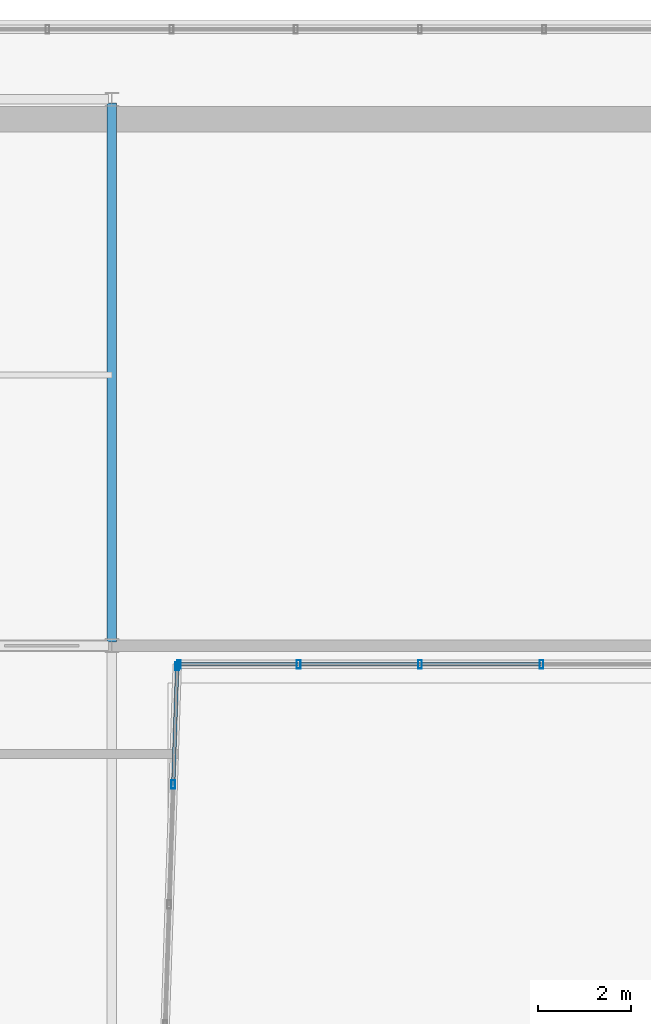
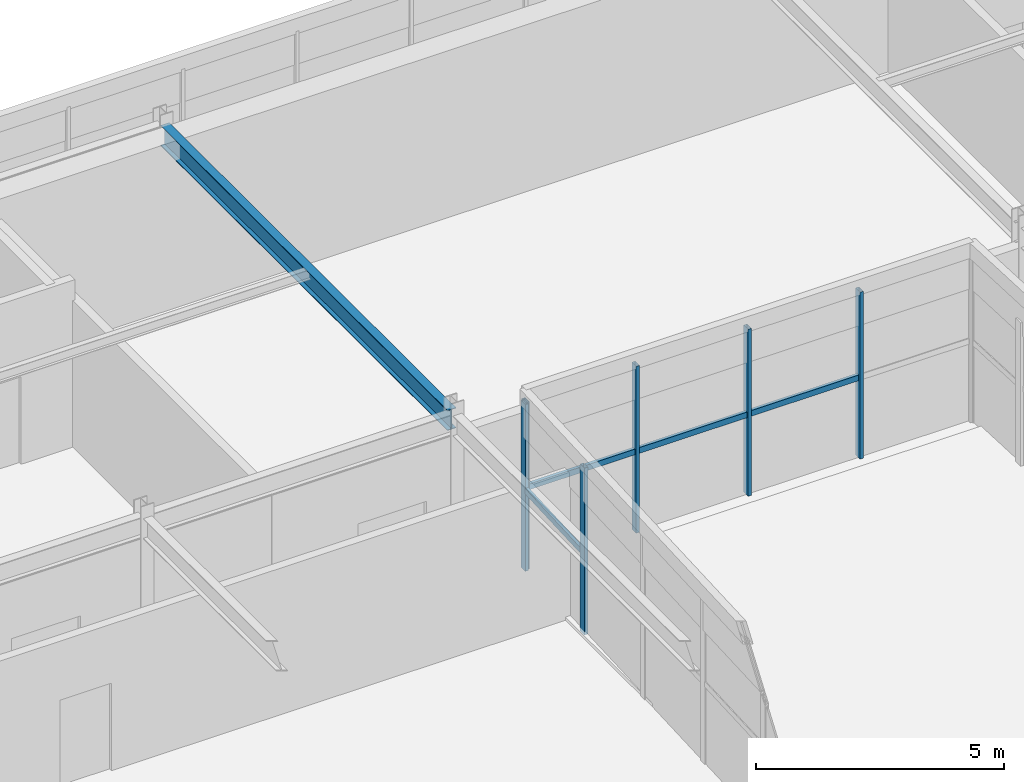
# One storey, part 13 of 37: 10 members, 1 beam, 2 elements without a shape of their own.
"""IFC4 building model written with IfcOpenShell, lengths in metres."""

from ifc_helpers import new_model, si_unit, direction, frame, origin, origin_2d, place, context, subcontext, project, spatial, hollow_rectangle, i_section, extrude, source, transform, mapped, material, material_profile, profile_set, type_object, element, aggregate, save


model = new_model("IFC4")

# Units and contexts
model_context = context("Model", 3, precision=1e-05, world=origin(), true_north=direction((0.0, 1.0)))
body_context = subcontext(model_context, "Body", "Model", "MODEL_VIEW")
ifc_project = project(units=[si_unit("LENGTHUNIT", "METRE"), si_unit("AREAUNIT", "SQUARE_METRE"), si_unit("VOLUMEUNIT", "CUBIC_METRE"), si_unit("PLANEANGLEUNIT", "RADIAN"), si_unit("MASSUNIT", "GRAM", prefix="KILO")], contexts=[model_context])

# Site, building, storey
site_placement = place(None, origin())
site = spatial("IfcSite", under=ifc_project, at=site_placement, CompositionType="ELEMENT")
building_placement = place(site_placement, origin())
building = spatial("IfcBuilding", under=site, at=building_placement, Name="Trelvane Seafront Commons", CompositionType="ELEMENT")
storey_placement = place(building_placement, frame((0.0, 0.0, 303.5)))
storey = spatial("IfcBuildingStorey", under=building, at=storey_placement, Name="L79", CompositionType="ELEMENT", Elevation=303.5)

# Beam
ifc_material_1 = material(Name="Steel SM355 (S355)", Category="steel")
ifc_material_profile_1 = material_profile(ifc_material_1, i_section(OverallWidth=0.199951171875, OverallDepth=0.5, WebThickness=0.010009765625, FlangeThickness=0.01611328125, at=origin_2d()), Name="H-500x200x10x16")
ifc_profile_set_1 = profile_set([ifc_material_profile_1], Name="Steel SM355 (S355)")
beam_type = type_object("IfcBeamType", Name="STR-BM-H500", PredefinedType="BEAM", material=ifc_profile_set_1)
shared_shape_1 = source(origin(), body_context, "Body", "SweptSolid", [
    extrude(i_section(OverallWidth=0.199951171875, OverallDepth=0.5, WebThickness=0.010009765625, FlangeThickness=0.01611328125, at=origin_2d()), origin(), (0.0, 0.0, 1.0), 11.5498046875),
])
beam_placement = place(storey_placement, frame((30.60009765625, 33.47509765625, 3.85009765625), z_axis=(0.0, 1.0, 0.0), x_axis=(-1.0, 0.0, 0.0)))
element("IfcBeam", 1, at=beam_placement, inside=storey, type_object=beam_type, Name="L79 Primary Girder G-29", PredefinedType="BEAM", context=body_context, shape_type="MappedRepresentation", body=[
    mapped(shared_shape_1, transform((0.0, 0.0, 0.0), x_axis=(1.0, 0.0, 0.0), y_axis=(0.0, 1.0, 0.0), z_axis=(0.0, 0.0, 1.0), scale=1.0)),
])

# Curtain wall, members
ifc_material_2 = material(Name="Anodised pale-silver aluminium", Category="aluminium")
curtain_wall_type = type_object("IfcCurtainWallType", Name="ARCH-CW6-CROWN", PredefinedType="NOTDEFINED", material=ifc_material_2)
curtain_wall_1_placement = place(storey_placement, origin())
curtain_wall_1 = element("IfcCurtainWall", 2, at=curtain_wall_1_placement, inside=storey, type_object=curtain_wall_type, Name="CW-L79-0133", PredefinedType="NOTDEFINED")
ifc_material_profile_2 = material_profile(ifc_material_2, hollow_rectangle(XDim=0.080078125, YDim=0.179931640625, WallThickness=0.00439453125, at=origin_2d()), Name="MULL-80x180x4.5")
ifc_profile_set_2 = profile_set([ifc_material_profile_2], Name="Anodised pale-silver aluminium")
member_type_1 = type_object("IfcMemberType", Name="ARCH-CW-MULL-180", PredefinedType="MULLION", material=ifc_profile_set_2)
shared_shape_2 = source(origin(), body_context, "Body", "SweptSolid", [
    extrude(hollow_rectangle(XDim=0.080078125, YDim=0.179931640625, WallThickness=0.00439453125, at=origin_2d()), origin(), (0.0, 0.0, 1.0), 4.10009765625),
])
member_1_placement = place(storey_placement, frame((39.800048828125, 33.0, 0.0), z_axis=(0.0, 0.0, 1.0), x_axis=(1.0, 0.0, 0.0)))
member_1 = element("IfcMember", 3, at=member_1_placement, type_object=member_type_1, Name="CW-L79-0133-M01", PredefinedType="MULLION", context=body_context, shape_type="MappedRepresentation", body=[
    mapped(shared_shape_2, transform((0.0, 0.0, 0.0), x_axis=(1.0, 0.0, 0.0), y_axis=(0.0, 1.0, 0.0), z_axis=(0.0, 0.0, 1.0), scale=1.0)),
])
member_2_placement = place(storey_placement, frame((37.199951171875, 33.0, 0.0), z_axis=(0.0, 0.0, 1.0), x_axis=(1.0, 0.0, 0.0)))
member_2 = element("IfcMember", 4, at=member_2_placement, type_object=member_type_1, Name="CW-L79-0133-M02", PredefinedType="MULLION", context=body_context, shape_type="MappedRepresentation", body=[
    mapped(shared_shape_2, transform((0.0, 0.0, 0.0), x_axis=(1.0, 0.0, 0.0), y_axis=(0.0, 1.0, 0.0), z_axis=(0.0, 0.0, 1.0), scale=1.0)),
])
member_3_placement = place(storey_placement, frame((34.60009765625, 33.0, 0.0), z_axis=(0.0, 0.0, 1.0), x_axis=(1.0, 0.0, 0.0)))
member_3 = element("IfcMember", 5, at=member_3_placement, type_object=member_type_1, Name="CW-L79-0133-M03", PredefinedType="MULLION", context=body_context, shape_type="MappedRepresentation", body=[
    mapped(shared_shape_2, transform((0.0, 0.0, 0.0), x_axis=(1.0, 0.0, 0.0), y_axis=(0.0, 1.0, 0.0), z_axis=(0.0, 0.0, 1.0), scale=1.0)),
])
member_4_placement = place(storey_placement, frame((32.0400390625, 33.0, 0.0), z_axis=(0.0, 0.0, 1.0), x_axis=(1.0, 0.0, 0.0)))
member_4 = element("IfcMember", 6, at=member_4_placement, type_object=member_type_1, Name="CW-L79-0133-M04", PredefinedType="MULLION", context=body_context, shape_type="MappedRepresentation", body=[
    mapped(shared_shape_2, transform((0.0, 0.0, 0.0), x_axis=(1.0, 0.0, 0.0), y_axis=(0.0, 1.0, 0.0), z_axis=(0.0, 0.0, 1.0), scale=1.0)),
])

curtain_wall_2_placement = place(storey_placement, origin())
curtain_wall_2 = element("IfcCurtainWall", 7, at=curtain_wall_2_placement, inside=storey, type_object=curtain_wall_type, Name="CW-L79-0134", PredefinedType="NOTDEFINED")
member_5_placement = place(storey_placement, frame((31.998779296875, 32.9599609375, 0.0), z_axis=(0.0, 0.0, 1.0), x_axis=(1.0, 0.0, 0.0)))
member_5 = element("IfcMember", 8, at=member_5_placement, type_object=member_type_1, Name="CW-L79-0134-M00", PredefinedType="MULLION", context=body_context, shape_type="MappedRepresentation", body=[
    mapped(shared_shape_2, transform((0.0, 0.0, 0.0), x_axis=(1.0, 0.0, 0.0), y_axis=(0.0, 1.0, 0.0), z_axis=(0.0, 0.0, 1.0), scale=1.0)),
])
member_6_placement = place(storey_placement, frame((31.914306640625, 30.4287109375, 0.0), z_axis=(0.0, 0.0, 1.0), x_axis=(1.0, 0.0, 0.0)))
member_6 = element("IfcMember", 9, at=member_6_placement, type_object=member_type_1, Name="CW-L79-0134-M01", PredefinedType="MULLION", context=body_context, shape_type="MappedRepresentation", body=[
    mapped(shared_shape_2, transform((0.0, 0.0, 0.0), x_axis=(1.0, 0.0, 0.0), y_axis=(0.0, 1.0, 0.0), z_axis=(0.0, 0.0, 1.0), scale=1.0)),
])

# Member
ifc_material_profile_3 = material_profile(ifc_material_2, hollow_rectangle(XDim=0.074951171875, YDim=0.139892578125, WallThickness=0.00390625, at=origin_2d()), Name="TRAN-75x140x4")
ifc_profile_set_3 = profile_set([ifc_material_profile_3], Name="Anodised pale-silver aluminium")
member_type_2 = type_object("IfcMemberType", Name="ARCH-CW-TRAN-140", PredefinedType="USERDEFINED", material=ifc_profile_set_3)
shared_shape_3 = source(origin(), body_context, "Body", "SweptSolid", [
    extrude(hollow_rectangle(XDim=0.074951171875, YDim=0.139892578125, WallThickness=0.00390625, at=origin_2d()), origin(), (0.0, 0.0, 1.0), 2.576171875),
])
member_7_placement = place(storey_placement, frame((39.7880859375, 33.0, 1.968017578125), z_axis=(-1.0, 0.0, 0.0), x_axis=(0.0, -1.0, 0.0)))
member_7 = element("IfcMember", 10, at=member_7_placement, type_object=member_type_2, Name="CW-L79-0133-T01", ObjectType="TRANSOM", PredefinedType="USERDEFINED", context=body_context, shape_type="MappedRepresentation", body=[
    mapped(shared_shape_3, transform((0.0, 0.0, 0.0), x_axis=(1.0, 0.0, 0.0), y_axis=(0.0, 1.0, 0.0), z_axis=(0.0, 0.0, 1.0), scale=1.0)),
])

shared_shape_4 = source(origin(), body_context, "Body", "SweptSolid", [
    extrude(hollow_rectangle(XDim=0.074951171875, YDim=0.139892578125, WallThickness=0.00390625, at=origin_2d()), origin(), (0.0, 0.0, 1.0), 2.575927734375),
])
member_8_placement = place(storey_placement, frame((37.18798828125, 33.0, 1.968017578125), z_axis=(-1.0, 0.0, 0.0), x_axis=(0.0, -1.0, 0.0)))
member_8 = element("IfcMember", 11, at=member_8_placement, type_object=member_type_2, Name="CW-L79-0133-T02", ObjectType="TRANSOM", PredefinedType="USERDEFINED", context=body_context, shape_type="MappedRepresentation", body=[
    mapped(shared_shape_4, transform((0.0, 0.0, 0.0), x_axis=(1.0, 0.0, 0.0), y_axis=(0.0, 1.0, 0.0), z_axis=(0.0, 0.0, 1.0), scale=1.0)),
])

member_9_placement = place(storey_placement, frame((34.587890625, 33.0, 1.968017578125), z_axis=(-1.0, 0.0, 0.0), x_axis=(0.0, -1.0, 0.0)))
member_9 = element("IfcMember", 12, at=member_9_placement, type_object=member_type_2, Name="CW-L79-0133-T03", ObjectType="TRANSOM", PredefinedType="USERDEFINED", context=body_context, shape_type="MappedRepresentation", body=[
    mapped(shared_shape_4, transform((0.0, 0.0, 0.0), x_axis=(1.0, 0.0, 0.0), y_axis=(0.0, 1.0, 0.0), z_axis=(0.0, 0.0, 1.0), scale=1.0)),
])

aggregate(curtain_wall_1, [member_1, member_2, member_3, member_4, member_7, member_8, member_9])

shared_shape_5 = source(origin(), body_context, "Body", "SweptSolid", [
    extrude(hollow_rectangle(XDim=0.074951171875, YDim=0.139892578125, WallThickness=0.00390625, at=origin_2d()), origin(), (0.0, 0.0, 1.0), 2.548828125),
])
member_10_placement = place(storey_placement, frame((31.99951171875, 32.988037109375, 1.968017578125), z_axis=(-0.033238285133, -0.999447455548, 0.0), x_axis=(0.999447455548, -0.033238285133, 0.0)))
member_10 = element("IfcMember", 13, at=member_10_placement, type_object=member_type_2, Name="CW-L79-0134-T00", ObjectType="TRANSOM", PredefinedType="USERDEFINED", context=body_context, shape_type="MappedRepresentation", body=[
    mapped(shared_shape_5, transform((0.0, 0.0, 0.0), x_axis=(1.0, 0.0, 0.0), y_axis=(0.0, 1.0, 0.0), z_axis=(0.0, 0.0, 1.0), scale=1.0)),
])

aggregate(curtain_wall_2, [member_5, member_6, member_10])

save(model, "model.ifc")
